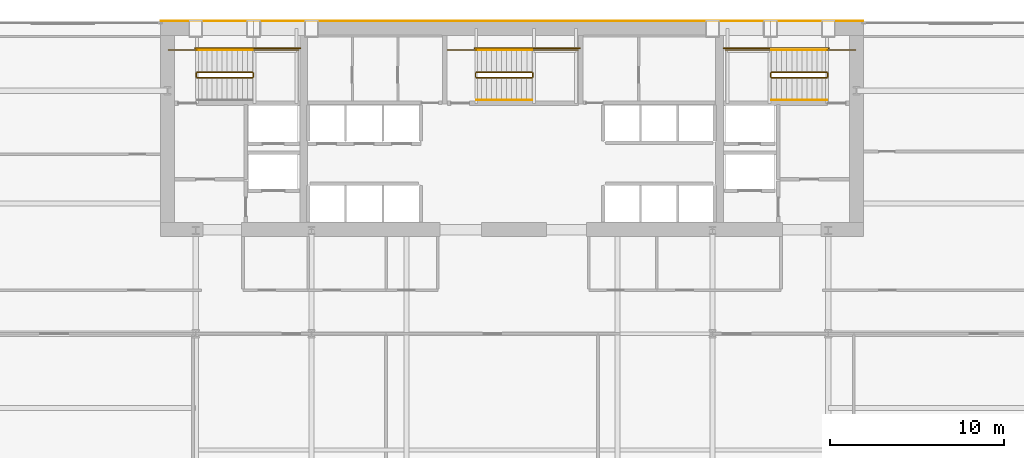
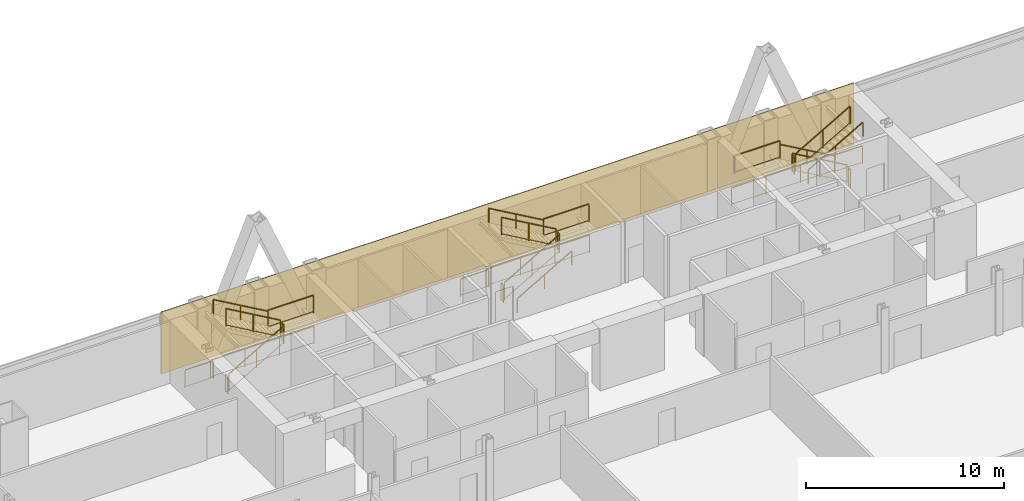
# One storey, part 33 of 33: 26 railings, 1 covering.
"""IFC4 building model written with IfcOpenShell, lengths in metres."""

from ifc_helpers import new_model, si_unit, direction, frame, origin, origin_2d, place, context, subcontext, project, spatial, polyline, rectangle, outline, extrude, material, layer, layer_set, type_object, element, save


model = new_model("IFC4")

# Units and contexts
model_context = context("Model", 3, precision=1e-05, world=origin(), true_north=direction((0.0, 1.0)))
body_context = subcontext(model_context, "Body", "Model", "MODEL_VIEW")
ifc_project = project(units=[si_unit("LENGTHUNIT", "METRE"), si_unit("AREAUNIT", "SQUARE_METRE"), si_unit("VOLUMEUNIT", "CUBIC_METRE"), si_unit("PLANEANGLEUNIT", "RADIAN"), si_unit("MASSUNIT", "GRAM", prefix="KILO")], contexts=[model_context])

# Site, building, storey
site_placement = place(None, origin())
site = spatial("IfcSite", under=ifc_project, at=site_placement, CompositionType="ELEMENT")
building_placement = place(site_placement, origin())
building = spatial("IfcBuilding", under=site, at=building_placement, Name="Khoronbel Lancet Exchange", CompositionType="ELEMENT")
storey_placement = place(building_placement, frame((0.0, 0.0, 73.800048828125)))
storey = spatial("IfcBuildingStorey", under=building, at=storey_placement, Name="L17", CompositionType="ELEMENT", Elevation=73.800048828125)

# Covering
ifc_material_1 = material(Name="Honed Egyptian Limestone & Bronze Rainscreen", Category="masonry")
ifc_layer = layer(ifc_material_1, 0.050048828125, Name="Honed Egyptian Limestone & Bronze Rainscreen")
ifc_layer_set = layer_set([ifc_layer], Name="Honed Egyptian Limestone & Bronze Rainscreen")
covering_type = type_object("IfcCoveringType", Name="COV-CLAD1", PredefinedType="CLADDING", material=ifc_layer_set)
covering_placement = place(storey_placement, origin())
element("IfcCovering", 1, at=covering_placement, inside=storey, type_object=covering_type, Name="Level L17 north rear-core stone and bronze rainscreen cladding", PredefinedType="CLADDING", context=body_context, shape_type="SweptSolid", body=[
    extrude(outline(polyline([(16.199951171875, 53.699951171875), (56.699951171875, 53.699951171875), (56.699951171875, 53.75), (16.199951171875, 53.75), (16.199951171875, 53.699951171875)])), origin(), (0.0, 0.0, 1.0), 3.820068359375),
])

# Railings
ifc_material_2 = material(Name="Painted Steel Balustrade", Category="steel")
railing_type_1 = type_object("IfcRailingType", Name="RL-STG110", PredefinedType="GUARDRAIL", material=ifc_material_2)
railing_1_placement = place(storey_placement, frame((18.300048828125, 50.449951171875, 0.16650390625)))
element("IfcRailing", 2, at=railing_1_placement, inside=storey, type_object=railing_type_1, Name="L17 ST1 stair guard 1", PredefinedType="GUARDRAIL", context=body_context, shape_type="SweptSolid", body=[
    extrude(rectangle(XDim=0.048095703125, YDim=0.048095703125, at=origin_2d()), frame((0.0, 0.0, 1.09619140625), z_axis=(0.86699087805, 0.0, 0.498324008431), x_axis=(0.0, 1.0, 0.0)), (0.0, 0.0, 1.0), 3.679443359375),
    extrude(rectangle(XDim=0.02392578125, YDim=0.02392578125, at=origin_2d()), frame((0.0, 0.0, 0.080078125), z_axis=(0.86699087805, 0.0, 0.498324008431), x_axis=(0.0, 1.0, 0.0)), (0.0, 0.0, 1.0), 3.679443359375),
    extrude(rectangle(XDim=0.0419921875, YDim=0.0419921875, at=origin_2d()), origin(), (0.0, 0.0, 1.0), 1.072021484375),
    extrude(rectangle(XDim=0.0419921875, YDim=0.0419921875, at=origin_2d()), frame((1.594970703125, 0.0, 0.916748046875)), (0.0, 0.0, 1.0), 1.072021484375),
    extrude(rectangle(XDim=0.0419921875, YDim=0.0419921875, at=origin_2d()), frame((3.18994140625, 0.0, 1.83349609375)), (0.0, 0.0, 1.0), 1.072021484375),
])
railing_2_placement = place(storey_placement, frame((21.5400390625, 50.5, 2.0)))
element("IfcRailing", 3, at=railing_2_placement, inside=storey, type_object=railing_type_1, Name="L17 ST1 stair guard 2", PredefinedType="GUARDRAIL", context=body_context, shape_type="SweptSolid", body=[
    extrude(rectangle(XDim=0.048095703125, YDim=0.048095703125, at=origin_2d()), frame((0.0, 0.0, 1.09619140625), z_axis=(0.0, 1.0, 0.0), x_axis=(-1.0, 0.0, 0.0)), (0.0, 0.0, 1.0), 0.219970703125),
    extrude(rectangle(XDim=0.02392578125, YDim=0.02392578125, at=origin_2d()), frame((0.0, 0.0, 0.080078125), z_axis=(0.0, 1.0, 0.0), x_axis=(-1.0, 0.0, 0.0)), (0.0, 0.0, 1.0), 0.219970703125),
    extrude(rectangle(XDim=0.0419921875, YDim=0.0419921875, at=origin_2d()), origin(), (0.0, 0.0, 1.0), 1.072021484375),
    extrude(rectangle(XDim=0.0419921875, YDim=0.0419921875, at=origin_2d()), frame((0.0, 0.219970703125, 0.0)), (0.0, 0.0, 1.0), 1.072021484375),
])
railing_3_placement = place(storey_placement, frame((21.489990234375, 52.050048828125, 2.0)))
element("IfcRailing", 4, at=railing_3_placement, inside=storey, type_object=railing_type_1, Name="L17 ST1 stair guard 3", PredefinedType="GUARDRAIL", context=body_context, shape_type="SweptSolid", body=[
    extrude(rectangle(XDim=0.048095703125, YDim=0.048095703125, at=origin_2d()), frame((0.0, 0.0, 1.09619140625), z_axis=(1.0, 0.0, 0.0), x_axis=(0.0, 1.0, 0.0)), (0.0, 0.0, 1.0), 2.659912109375),
    extrude(rectangle(XDim=0.02392578125, YDim=0.02392578125, at=origin_2d()), frame((0.0, 0.0, 0.080078125), z_axis=(1.0, 0.0, 0.0), x_axis=(0.0, 1.0, 0.0)), (0.0, 0.0, 1.0), 2.659912109375),
    extrude(rectangle(XDim=0.0419921875, YDim=0.0419921875, at=origin_2d()), origin(), (0.0, 0.0, 1.0), 1.072021484375),
    extrude(rectangle(XDim=0.0419921875, YDim=0.0419921875, at=origin_2d()), frame((2.659912109375, 0.0, 0.0)), (0.0, 0.0, 1.0), 1.072021484375),
])
railing_4_placement = place(storey_placement, frame((21.489990234375, 50.77001953125, 2.16650390625)))
element("IfcRailing", 5, at=railing_4_placement, inside=storey, type_object=railing_type_1, Name="L17 ST1 stair guard 4", PredefinedType="GUARDRAIL", context=body_context, shape_type="SweptSolid", body=[
    extrude(rectangle(XDim=0.048095703125, YDim=0.048095703125, at=origin_2d()), frame((0.0, 0.0, 1.09619140625), z_axis=(-0.86699087805, 0.0, 0.498324008431), x_axis=(0.0, -1.0, 0.0)), (0.0, 0.0, 1.0), 3.679443359375),
    extrude(rectangle(XDim=0.02392578125, YDim=0.02392578125, at=origin_2d()), frame((0.0, 0.0, 0.080078125), z_axis=(-0.86699087805, 0.0, 0.498324008431), x_axis=(0.0, -1.0, 0.0)), (0.0, 0.0, 1.0), 3.679443359375),
    extrude(rectangle(XDim=0.0419921875, YDim=0.0419921875, at=origin_2d()), origin(), (0.0, 0.0, 1.0), 1.072021484375),
    extrude(rectangle(XDim=0.0419921875, YDim=0.0419921875, at=origin_2d()), frame((-1.594970703125, 0.0, 0.916748046875)), (0.0, 0.0, 1.0), 1.072021484375),
    extrude(rectangle(XDim=0.0419921875, YDim=0.0419921875, at=origin_2d()), frame((-3.18994140625, 0.0, 1.83349609375)), (0.0, 0.0, 1.0), 1.072021484375),
])
railing_5_placement = place(storey_placement, frame((18.25, 50.5, 0.0)))
element("IfcRailing", 6, at=railing_5_placement, inside=storey, type_object=railing_type_1, Name="L17 ST1 stair guard 5", PredefinedType="GUARDRAIL", context=body_context, shape_type="SweptSolid", body=[
    extrude(rectangle(XDim=0.048095703125, YDim=0.048095703125, at=origin_2d()), frame((0.0, 0.0, 1.09619140625), z_axis=(0.0, 1.0, 0.0), x_axis=(-1.0, 0.0, 0.0)), (0.0, 0.0, 1.0), 0.219970703125),
    extrude(rectangle(XDim=0.02392578125, YDim=0.02392578125, at=origin_2d()), frame((0.0, 0.0, 0.080078125), z_axis=(0.0, 1.0, 0.0), x_axis=(-1.0, 0.0, 0.0)), (0.0, 0.0, 1.0), 0.219970703125),
    extrude(rectangle(XDim=0.0419921875, YDim=0.0419921875, at=origin_2d()), origin(), (0.0, 0.0, 1.0), 1.072021484375),
    extrude(rectangle(XDim=0.0419921875, YDim=0.0419921875, at=origin_2d()), frame((0.0, 0.219970703125, 0.0)), (0.0, 0.0, 1.0), 1.072021484375),
])
railing_6_placement = place(storey_placement, frame((16.64990234375, 52.050048828125, 0.0)))
element("IfcRailing", 7, at=railing_6_placement, inside=storey, type_object=railing_type_1, Name="L17 ST1 stair guard 6", PredefinedType="GUARDRAIL", context=body_context, shape_type="SweptSolid", body=[
    extrude(rectangle(XDim=0.048095703125, YDim=0.048095703125, at=origin_2d()), frame((0.0, 0.0, 1.09619140625), z_axis=(1.0, 0.0, 0.0), x_axis=(0.0, 1.0, 0.0)), (0.0, 0.0, 1.0), 1.650146484375),
    extrude(rectangle(XDim=0.02392578125, YDim=0.02392578125, at=origin_2d()), frame((0.0, 0.0, 0.080078125), z_axis=(1.0, 0.0, 0.0), x_axis=(0.0, 1.0, 0.0)), (0.0, 0.0, 1.0), 1.650146484375),
    extrude(rectangle(XDim=0.0419921875, YDim=0.0419921875, at=origin_2d()), origin(), (0.0, 0.0, 1.0), 1.072021484375),
    extrude(rectangle(XDim=0.0419921875, YDim=0.0419921875, at=origin_2d()), frame((1.650146484375, 0.0, 0.0)), (0.0, 0.0, 1.0), 1.072021484375),
])
railing_7_placement = place(storey_placement, frame((18.199951171875, 52.14990234375, 0.0)))
element("IfcRailing", 8, at=railing_7_placement, inside=storey, type_object=railing_type_1, Name="L17 ST1 stair guard 7", PredefinedType="GUARDRAIL", context=body_context, shape_type="SweptSolid", body=[
    extrude(rectangle(XDim=0.048095703125, YDim=0.048095703125, at=origin_2d()), frame((0.0, 0.0, 1.09619140625), z_axis=(1.0, 0.0, 0.0), x_axis=(0.0, 1.0, 0.0)), (0.0, 0.0, 1.0), 6.050048828125),
    extrude(rectangle(XDim=0.02392578125, YDim=0.02392578125, at=origin_2d()), frame((0.0, 0.0, 0.080078125), z_axis=(1.0, 0.0, 0.0), x_axis=(0.0, 1.0, 0.0)), (0.0, 0.0, 1.0), 6.050048828125),
    extrude(rectangle(XDim=0.0419921875, YDim=0.0419921875, at=origin_2d()), origin(), (0.0, 0.0, 1.0), 1.072021484375),
    extrude(rectangle(XDim=0.0419921875, YDim=0.0419921875, at=origin_2d()), frame((2.0166015625, 0.0, 0.0)), (0.0, 0.0, 1.0), 1.072021484375),
    extrude(rectangle(XDim=0.0419921875, YDim=0.0419921875, at=origin_2d()), frame((4.033447265625, 0.0, 0.0)), (0.0, 0.0, 1.0), 1.072021484375),
    extrude(rectangle(XDim=0.0419921875, YDim=0.0419921875, at=origin_2d()), frame((6.050048828125, 0.0, 0.0)), (0.0, 0.0, 1.0), 1.072021484375),
])
railing_8_placement = place(storey_placement, frame((54.60009765625, 50.77001953125, 0.16650390625)))
element("IfcRailing", 9, at=railing_8_placement, inside=storey, type_object=railing_type_1, Name="L17 ST2 stair guard 1", PredefinedType="GUARDRAIL", context=body_context, shape_type="SweptSolid", body=[
    extrude(rectangle(XDim=0.048095703125, YDim=0.048095703125, at=origin_2d()), frame((0.0, 0.0, 1.09619140625), z_axis=(-0.867007354286, 0.0, 0.498295341753), x_axis=(0.0, -1.0, 0.0)), (0.0, 0.0, 1.0), 3.679443359375),
    extrude(rectangle(XDim=0.02392578125, YDim=0.02392578125, at=origin_2d()), frame((0.0, 0.0, 0.080078125), z_axis=(-0.867007354286, 0.0, 0.498295341753), x_axis=(0.0, -1.0, 0.0)), (0.0, 0.0, 1.0), 3.679443359375),
    extrude(rectangle(XDim=0.0419921875, YDim=0.0419921875, at=origin_2d()), origin(), (0.0, 0.0, 1.0), 1.072021484375),
    extrude(rectangle(XDim=0.0419921875, YDim=0.0419921875, at=origin_2d()), frame((-1.59521484375, 0.0, 0.916748046875)), (0.0, 0.0, 1.0), 1.072021484375),
    extrude(rectangle(XDim=0.0419921875, YDim=0.0419921875, at=origin_2d()), frame((-3.190185546875, 0.0, 1.83349609375)), (0.0, 0.0, 1.0), 1.072021484375),
])
railing_9_placement = place(storey_placement, frame((51.360107421875, 50.719970703125, 2.0)))
element("IfcRailing", 10, at=railing_9_placement, inside=storey, type_object=railing_type_1, Name="L17 ST2 stair guard 2", PredefinedType="GUARDRAIL", context=body_context, shape_type="SweptSolid", body=[
    extrude(rectangle(XDim=0.048095703125, YDim=0.048095703125, at=origin_2d()), frame((0.0, 0.0, 1.09619140625), z_axis=(0.0, -1.0, 0.0), x_axis=(1.0, 0.0, 0.0)), (0.0, 0.0, 1.0), 0.219970703125),
    extrude(rectangle(XDim=0.02392578125, YDim=0.02392578125, at=origin_2d()), frame((0.0, 0.0, 0.080078125), z_axis=(0.0, -1.0, 0.0), x_axis=(1.0, 0.0, 0.0)), (0.0, 0.0, 1.0), 0.219970703125),
    extrude(rectangle(XDim=0.0419921875, YDim=0.0419921875, at=origin_2d()), origin(), (0.0, 0.0, 1.0), 1.072021484375),
    extrude(rectangle(XDim=0.0419921875, YDim=0.0419921875, at=origin_2d()), frame((0.0, -0.219970703125, 0.0)), (0.0, 0.0, 1.0), 1.072021484375),
])
railing_10_placement = place(storey_placement, frame((51.409912109375, 52.050048828125, 2.0)))
element("IfcRailing", 11, at=railing_10_placement, inside=storey, type_object=railing_type_1, Name="L17 ST2 stair guard 3", PredefinedType="GUARDRAIL", context=body_context, shape_type="SweptSolid", body=[
    extrude(rectangle(XDim=0.048095703125, YDim=0.048095703125, at=origin_2d()), frame((0.0, 0.0, 1.09619140625), z_axis=(-1.0, 0.0, 0.0), x_axis=(0.0, -1.0, 0.0)), (0.0, 0.0, 1.0), 2.659912109375),
    extrude(rectangle(XDim=0.02392578125, YDim=0.02392578125, at=origin_2d()), frame((0.0, 0.0, 0.080078125), z_axis=(-1.0, 0.0, 0.0), x_axis=(0.0, -1.0, 0.0)), (0.0, 0.0, 1.0), 2.659912109375),
    extrude(rectangle(XDim=0.0419921875, YDim=0.0419921875, at=origin_2d()), origin(), (0.0, 0.0, 1.0), 1.072021484375),
    extrude(rectangle(XDim=0.0419921875, YDim=0.0419921875, at=origin_2d()), frame((-2.659912109375, 0.0, 0.0)), (0.0, 0.0, 1.0), 1.072021484375),
])
railing_11_placement = place(storey_placement, frame((51.409912109375, 50.449951171875, 2.16650390625)))
element("IfcRailing", 12, at=railing_11_placement, inside=storey, type_object=railing_type_1, Name="L17 ST2 stair guard 4", PredefinedType="GUARDRAIL", context=body_context, shape_type="SweptSolid", body=[
    extrude(rectangle(XDim=0.048095703125, YDim=0.048095703125, at=origin_2d()), frame((0.0, 0.0, 1.09619140625), z_axis=(0.867007354286, 0.0, 0.498295341753), x_axis=(0.0, 1.0, 0.0)), (0.0, 0.0, 1.0), 3.679443359375),
    extrude(rectangle(XDim=0.02392578125, YDim=0.02392578125, at=origin_2d()), frame((0.0, 0.0, 0.080078125), z_axis=(0.867007354286, 0.0, 0.498295341753), x_axis=(0.0, 1.0, 0.0)), (0.0, 0.0, 1.0), 3.679443359375),
    extrude(rectangle(XDim=0.0419921875, YDim=0.0419921875, at=origin_2d()), origin(), (0.0, 0.0, 1.0), 1.072021484375),
    extrude(rectangle(XDim=0.0419921875, YDim=0.0419921875, at=origin_2d()), frame((1.59521484375, 0.0, 0.916748046875)), (0.0, 0.0, 1.0), 1.072021484375),
    extrude(rectangle(XDim=0.0419921875, YDim=0.0419921875, at=origin_2d()), frame((3.190185546875, 0.0, 1.83349609375)), (0.0, 0.0, 1.0), 1.072021484375),
])
railing_12_placement = place(storey_placement, frame((54.64990234375, 50.719970703125, 0.0)))
element("IfcRailing", 13, at=railing_12_placement, inside=storey, type_object=railing_type_1, Name="L17 ST2 stair guard 5", PredefinedType="GUARDRAIL", context=body_context, shape_type="SweptSolid", body=[
    extrude(rectangle(XDim=0.048095703125, YDim=0.048095703125, at=origin_2d()), frame((0.0, 0.0, 1.09619140625), z_axis=(0.0, -1.0, 0.0), x_axis=(1.0, 0.0, 0.0)), (0.0, 0.0, 1.0), 0.219970703125),
    extrude(rectangle(XDim=0.02392578125, YDim=0.02392578125, at=origin_2d()), frame((0.0, 0.0, 0.080078125), z_axis=(0.0, -1.0, 0.0), x_axis=(1.0, 0.0, 0.0)), (0.0, 0.0, 1.0), 0.219970703125),
    extrude(rectangle(XDim=0.0419921875, YDim=0.0419921875, at=origin_2d()), origin(), (0.0, 0.0, 1.0), 1.072021484375),
    extrude(rectangle(XDim=0.0419921875, YDim=0.0419921875, at=origin_2d()), frame((0.0, -0.219970703125, 0.0)), (0.0, 0.0, 1.0), 1.072021484375),
])
railing_13_placement = place(storey_placement, frame((56.25, 52.050048828125, 0.0)))
element("IfcRailing", 14, at=railing_13_placement, inside=storey, type_object=railing_type_1, Name="L17 ST2 stair guard 6", PredefinedType="GUARDRAIL", context=body_context, shape_type="SweptSolid", body=[
    extrude(rectangle(XDim=0.048095703125, YDim=0.048095703125, at=origin_2d()), frame((0.0, 0.0, 1.09619140625), z_axis=(-1.0, 0.0, 0.0), x_axis=(0.0, -1.0, 0.0)), (0.0, 0.0, 1.0), 1.64990234375),
    extrude(rectangle(XDim=0.02392578125, YDim=0.02392578125, at=origin_2d()), frame((0.0, 0.0, 0.080078125), z_axis=(-1.0, 0.0, 0.0), x_axis=(0.0, -1.0, 0.0)), (0.0, 0.0, 1.0), 1.64990234375),
    extrude(rectangle(XDim=0.0419921875, YDim=0.0419921875, at=origin_2d()), origin(), (0.0, 0.0, 1.0), 1.072021484375),
    extrude(rectangle(XDim=0.0419921875, YDim=0.0419921875, at=origin_2d()), frame((-1.64990234375, 0.0, 0.0)), (0.0, 0.0, 1.0), 1.072021484375),
])
railing_14_placement = place(storey_placement, frame((54.699951171875, 52.14990234375, 0.0)))
element("IfcRailing", 15, at=railing_14_placement, inside=storey, type_object=railing_type_1, Name="L17 ST2 stair guard 7", PredefinedType="GUARDRAIL", context=body_context, shape_type="SweptSolid", body=[
    extrude(rectangle(XDim=0.048095703125, YDim=0.048095703125, at=origin_2d()), frame((0.0, 0.0, 1.09619140625), z_axis=(-1.0, 0.0, 0.0), x_axis=(0.0, -1.0, 0.0)), (0.0, 0.0, 1.0), 6.050048828125),
    extrude(rectangle(XDim=0.02392578125, YDim=0.02392578125, at=origin_2d()), frame((0.0, 0.0, 0.080078125), z_axis=(-1.0, 0.0, 0.0), x_axis=(0.0, -1.0, 0.0)), (0.0, 0.0, 1.0), 6.050048828125),
    extrude(rectangle(XDim=0.0419921875, YDim=0.0419921875, at=origin_2d()), origin(), (0.0, 0.0, 1.0), 1.072021484375),
    extrude(rectangle(XDim=0.0419921875, YDim=0.0419921875, at=origin_2d()), frame((-2.0166015625, 0.0, 0.0)), (0.0, 0.0, 1.0), 1.072021484375),
    extrude(rectangle(XDim=0.0419921875, YDim=0.0419921875, at=origin_2d()), frame((-4.033447265625, 0.0, 0.0)), (0.0, 0.0, 1.0), 1.072021484375),
    extrude(rectangle(XDim=0.0419921875, YDim=0.0419921875, at=origin_2d()), frame((-6.050048828125, 0.0, 0.0)), (0.0, 0.0, 1.0), 1.072021484375),
])
railing_15_placement = place(storey_placement, frame((34.39990234375, 50.449951171875, 0.16650390625)))
element("IfcRailing", 16, at=railing_15_placement, inside=storey, type_object=railing_type_1, Name="L17 ST3 stair guard 1", PredefinedType="GUARDRAIL", context=body_context, shape_type="SweptSolid", body=[
    extrude(rectangle(XDim=0.048095703125, YDim=0.048095703125, at=origin_2d()), frame((0.0, 0.0, 1.09619140625), z_axis=(0.867007354286, 0.0, 0.498295341753), x_axis=(0.0, 1.0, 0.0)), (0.0, 0.0, 1.0), 3.679443359375),
    extrude(rectangle(XDim=0.02392578125, YDim=0.02392578125, at=origin_2d()), frame((0.0, 0.0, 0.080078125), z_axis=(0.867007354286, 0.0, 0.498295341753), x_axis=(0.0, 1.0, 0.0)), (0.0, 0.0, 1.0), 3.679443359375),
    extrude(rectangle(XDim=0.0419921875, YDim=0.0419921875, at=origin_2d()), origin(), (0.0, 0.0, 1.0), 1.072021484375),
    extrude(rectangle(XDim=0.0419921875, YDim=0.0419921875, at=origin_2d()), frame((1.59521484375, 0.0, 0.916748046875)), (0.0, 0.0, 1.0), 1.072021484375),
    extrude(rectangle(XDim=0.0419921875, YDim=0.0419921875, at=origin_2d()), frame((3.190185546875, 0.0, 1.83349609375)), (0.0, 0.0, 1.0), 1.072021484375),
])
railing_16_placement = place(storey_placement, frame((37.639892578125, 50.5, 2.0)))
element("IfcRailing", 17, at=railing_16_placement, inside=storey, type_object=railing_type_1, Name="L17 ST3 stair guard 2", PredefinedType="GUARDRAIL", context=body_context, shape_type="SweptSolid", body=[
    extrude(rectangle(XDim=0.048095703125, YDim=0.048095703125, at=origin_2d()), frame((0.0, 0.0, 1.09619140625), z_axis=(0.0, 1.0, 0.0), x_axis=(-1.0, 0.0, 0.0)), (0.0, 0.0, 1.0), 0.219970703125),
    extrude(rectangle(XDim=0.02392578125, YDim=0.02392578125, at=origin_2d()), frame((0.0, 0.0, 0.080078125), z_axis=(0.0, 1.0, 0.0), x_axis=(-1.0, 0.0, 0.0)), (0.0, 0.0, 1.0), 0.219970703125),
    extrude(rectangle(XDim=0.0419921875, YDim=0.0419921875, at=origin_2d()), origin(), (0.0, 0.0, 1.0), 1.072021484375),
    extrude(rectangle(XDim=0.0419921875, YDim=0.0419921875, at=origin_2d()), frame((0.0, 0.219970703125, 0.0)), (0.0, 0.0, 1.0), 1.072021484375),
])
railing_17_placement = place(storey_placement, frame((37.590087890625, 52.050048828125, 2.0)))
element("IfcRailing", 18, at=railing_17_placement, inside=storey, type_object=railing_type_1, Name="L17 ST3 stair guard 3", PredefinedType="GUARDRAIL", context=body_context, shape_type="SweptSolid", body=[
    extrude(rectangle(XDim=0.048095703125, YDim=0.048095703125, at=origin_2d()), frame((0.0, 0.0, 1.09619140625), z_axis=(1.0, 0.0, 0.0), x_axis=(0.0, 1.0, 0.0)), (0.0, 0.0, 1.0), 2.659912109375),
    extrude(rectangle(XDim=0.02392578125, YDim=0.02392578125, at=origin_2d()), frame((0.0, 0.0, 0.080078125), z_axis=(1.0, 0.0, 0.0), x_axis=(0.0, 1.0, 0.0)), (0.0, 0.0, 1.0), 2.659912109375),
    extrude(rectangle(XDim=0.0419921875, YDim=0.0419921875, at=origin_2d()), origin(), (0.0, 0.0, 1.0), 1.072021484375),
    extrude(rectangle(XDim=0.0419921875, YDim=0.0419921875, at=origin_2d()), frame((2.659912109375, 0.0, 0.0)), (0.0, 0.0, 1.0), 1.072021484375),
])
railing_18_placement = place(storey_placement, frame((37.590087890625, 50.77001953125, 2.16650390625)))
element("IfcRailing", 19, at=railing_18_placement, inside=storey, type_object=railing_type_1, Name="L17 ST3 stair guard 4", PredefinedType="GUARDRAIL", context=body_context, shape_type="SweptSolid", body=[
    extrude(rectangle(XDim=0.048095703125, YDim=0.048095703125, at=origin_2d()), frame((0.0, 0.0, 1.09619140625), z_axis=(-0.867007354286, 0.0, 0.498295341753), x_axis=(0.0, -1.0, 0.0)), (0.0, 0.0, 1.0), 3.679443359375),
    extrude(rectangle(XDim=0.02392578125, YDim=0.02392578125, at=origin_2d()), frame((0.0, 0.0, 0.080078125), z_axis=(-0.867007354286, 0.0, 0.498295341753), x_axis=(0.0, -1.0, 0.0)), (0.0, 0.0, 1.0), 3.679443359375),
    extrude(rectangle(XDim=0.0419921875, YDim=0.0419921875, at=origin_2d()), origin(), (0.0, 0.0, 1.0), 1.072021484375),
    extrude(rectangle(XDim=0.0419921875, YDim=0.0419921875, at=origin_2d()), frame((-1.59521484375, 0.0, 0.916748046875)), (0.0, 0.0, 1.0), 1.072021484375),
    extrude(rectangle(XDim=0.0419921875, YDim=0.0419921875, at=origin_2d()), frame((-3.190185546875, 0.0, 1.83349609375)), (0.0, 0.0, 1.0), 1.072021484375),
])
railing_19_placement = place(storey_placement, frame((34.35009765625, 50.5, 0.0)))
element("IfcRailing", 20, at=railing_19_placement, inside=storey, type_object=railing_type_1, Name="L17 ST3 stair guard 5", PredefinedType="GUARDRAIL", context=body_context, shape_type="SweptSolid", body=[
    extrude(rectangle(XDim=0.048095703125, YDim=0.048095703125, at=origin_2d()), frame((0.0, 0.0, 1.09619140625), z_axis=(0.0, 1.0, 0.0), x_axis=(-1.0, 0.0, 0.0)), (0.0, 0.0, 1.0), 0.219970703125),
    extrude(rectangle(XDim=0.02392578125, YDim=0.02392578125, at=origin_2d()), frame((0.0, 0.0, 0.080078125), z_axis=(0.0, 1.0, 0.0), x_axis=(-1.0, 0.0, 0.0)), (0.0, 0.0, 1.0), 0.219970703125),
    extrude(rectangle(XDim=0.0419921875, YDim=0.0419921875, at=origin_2d()), origin(), (0.0, 0.0, 1.0), 1.072021484375),
    extrude(rectangle(XDim=0.0419921875, YDim=0.0419921875, at=origin_2d()), frame((0.0, 0.219970703125, 0.0)), (0.0, 0.0, 1.0), 1.072021484375),
])
railing_20_placement = place(storey_placement, frame((32.75, 52.050048828125, 0.0)))
element("IfcRailing", 21, at=railing_20_placement, inside=storey, type_object=railing_type_1, Name="L17 ST3 stair guard 6", PredefinedType="GUARDRAIL", context=body_context, shape_type="SweptSolid", body=[
    extrude(rectangle(XDim=0.048095703125, YDim=0.048095703125, at=origin_2d()), frame((0.0, 0.0, 1.09619140625), z_axis=(1.0, 0.0, 0.0), x_axis=(0.0, 1.0, 0.0)), (0.0, 0.0, 1.0), 1.64990234375),
    extrude(rectangle(XDim=0.02392578125, YDim=0.02392578125, at=origin_2d()), frame((0.0, 0.0, 0.080078125), z_axis=(1.0, 0.0, 0.0), x_axis=(0.0, 1.0, 0.0)), (0.0, 0.0, 1.0), 1.64990234375),
    extrude(rectangle(XDim=0.0419921875, YDim=0.0419921875, at=origin_2d()), origin(), (0.0, 0.0, 1.0), 1.072021484375),
    extrude(rectangle(XDim=0.0419921875, YDim=0.0419921875, at=origin_2d()), frame((1.64990234375, 0.0, 0.0)), (0.0, 0.0, 1.0), 1.072021484375),
])
railing_21_placement = place(storey_placement, frame((34.300048828125, 52.14990234375, 0.0)))
element("IfcRailing", 22, at=railing_21_placement, inside=storey, type_object=railing_type_1, Name="L17 ST3 stair guard 7", PredefinedType="GUARDRAIL", context=body_context, shape_type="SweptSolid", body=[
    extrude(rectangle(XDim=0.048095703125, YDim=0.048095703125, at=origin_2d()), frame((0.0, 0.0, 1.09619140625), z_axis=(1.0, 0.0, 0.0), x_axis=(0.0, 1.0, 0.0)), (0.0, 0.0, 1.0), 6.050048828125),
    extrude(rectangle(XDim=0.02392578125, YDim=0.02392578125, at=origin_2d()), frame((0.0, 0.0, 0.080078125), z_axis=(1.0, 0.0, 0.0), x_axis=(0.0, 1.0, 0.0)), (0.0, 0.0, 1.0), 6.050048828125),
    extrude(rectangle(XDim=0.0419921875, YDim=0.0419921875, at=origin_2d()), origin(), (0.0, 0.0, 1.0), 1.072021484375),
    extrude(rectangle(XDim=0.0419921875, YDim=0.0419921875, at=origin_2d()), frame((2.0166015625, 0.0, 0.0)), (0.0, 0.0, 1.0), 1.072021484375),
    extrude(rectangle(XDim=0.0419921875, YDim=0.0419921875, at=origin_2d()), frame((4.033447265625, 0.0, 0.0)), (0.0, 0.0, 1.0), 1.072021484375),
    extrude(rectangle(XDim=0.0419921875, YDim=0.0419921875, at=origin_2d()), frame((6.050048828125, 0.0, 0.0)), (0.0, 0.0, 1.0), 1.072021484375),
])
ifc_material_3 = material(Name="Brushed Stainless Steel 316", Category="steel")
railing_type_2 = type_object("IfcRailingType", Name="RL-STH92", PredefinedType="HANDRAIL", material=ifc_material_3)
railing_22_placement = place(storey_placement, frame((21.489990234375, 52.050048828125, 2.16650390625)))
element("IfcRailing", 23, at=railing_22_placement, inside=storey, type_object=railing_type_2, Name="L17 ST1 stair handrail 2", PredefinedType="HANDRAIL", context=body_context, shape_type="SweptSolid", body=[
    extrude(rectangle(XDim=0.048095703125, YDim=0.048095703125, at=origin_2d()), frame((0.0, 0.0, 0.8759765625), z_axis=(-0.86699087805, 0.0, 0.498324008431), x_axis=(0.0, -1.0, 0.0)), (0.0, 0.0, 1.0), 3.679443359375),
    extrude(rectangle(XDim=0.0419921875, YDim=0.0419921875, at=origin_2d()), origin(), (0.0, 0.0, 1.0), 0.851806640625),
    extrude(rectangle(XDim=0.0419921875, YDim=0.0419921875, at=origin_2d()), frame((-1.594970703125, 0.0, 0.916748046875)), (0.0, 0.0, 1.0), 0.851806640625),
    extrude(rectangle(XDim=0.0419921875, YDim=0.0419921875, at=origin_2d()), frame((-3.18994140625, 0.0, 1.83349609375)), (0.0, 0.0, 1.0), 0.851806640625),
])
railing_23_placement = place(storey_placement, frame((54.60009765625, 52.050048828125, 0.16650390625)))
element("IfcRailing", 24, at=railing_23_placement, inside=storey, type_object=railing_type_2, Name="L17 ST2 stair handrail 1", PredefinedType="HANDRAIL", context=body_context, shape_type="SweptSolid", body=[
    extrude(rectangle(XDim=0.048095703125, YDim=0.048095703125, at=origin_2d()), frame((0.0, 0.0, 0.8759765625), z_axis=(-0.867007354286, 0.0, 0.498295341753), x_axis=(0.0, -1.0, 0.0)), (0.0, 0.0, 1.0), 3.679443359375),
    extrude(rectangle(XDim=0.0419921875, YDim=0.0419921875, at=origin_2d()), origin(), (0.0, 0.0, 1.0), 0.851806640625),
    extrude(rectangle(XDim=0.0419921875, YDim=0.0419921875, at=origin_2d()), frame((-1.59521484375, 0.0, 0.916748046875)), (0.0, 0.0, 1.0), 0.851806640625),
    extrude(rectangle(XDim=0.0419921875, YDim=0.0419921875, at=origin_2d()), frame((-3.190185546875, 0.0, 1.83349609375)), (0.0, 0.0, 1.0), 0.851806640625),
])
for number, where, name in (
    (25, (51.409912109375, 49.169921875, 2.16650390625), "L17 ST2 stair handrail 2"),
    (26, (34.39990234375, 49.169921875, 0.16650390625), "L17 ST3 stair handrail 1"),
):
    element("IfcRailing", number, at=place(storey_placement, frame(where)), inside=storey, type_object=railing_type_2, Name=name, PredefinedType="HANDRAIL", context=body_context, shape_type="SweptSolid", body=[
        extrude(rectangle(XDim=0.048095703125, YDim=0.048095703125, at=origin_2d()), frame((0.0, 0.0, 0.8759765625), z_axis=(0.867007354286, 0.0, 0.498295341753), x_axis=(0.0, 1.0, 0.0)), (0.0, 0.0, 1.0), 3.679443359375),
        extrude(rectangle(XDim=0.0419921875, YDim=0.0419921875, at=origin_2d()), origin(), (0.0, 0.0, 1.0), 0.851806640625),
        extrude(rectangle(XDim=0.0419921875, YDim=0.0419921875, at=origin_2d()), frame((1.59521484375, 0.0, 0.916748046875)), (0.0, 0.0, 1.0), 0.851806640625),
        extrude(rectangle(XDim=0.0419921875, YDim=0.0419921875, at=origin_2d()), frame((3.190185546875, 0.0, 1.83349609375)), (0.0, 0.0, 1.0), 0.851806640625),
    ])
railing_24_placement = place(storey_placement, frame((37.590087890625, 52.050048828125, 2.16650390625)))
element("IfcRailing", 27, at=railing_24_placement, inside=storey, type_object=railing_type_2, Name="L17 ST3 stair handrail 2", PredefinedType="HANDRAIL", context=body_context, shape_type="SweptSolid", body=[
    extrude(rectangle(XDim=0.048095703125, YDim=0.048095703125, at=origin_2d()), frame((0.0, 0.0, 0.8759765625), z_axis=(-0.867007354286, 0.0, 0.498295341753), x_axis=(0.0, -1.0, 0.0)), (0.0, 0.0, 1.0), 3.679443359375),
    extrude(rectangle(XDim=0.0419921875, YDim=0.0419921875, at=origin_2d()), origin(), (0.0, 0.0, 1.0), 0.851806640625),
    extrude(rectangle(XDim=0.0419921875, YDim=0.0419921875, at=origin_2d()), frame((-1.59521484375, 0.0, 0.916748046875)), (0.0, 0.0, 1.0), 0.851806640625),
    extrude(rectangle(XDim=0.0419921875, YDim=0.0419921875, at=origin_2d()), frame((-3.190185546875, 0.0, 1.83349609375)), (0.0, 0.0, 1.0), 0.851806640625),
])

save(model, "model.ifc")
